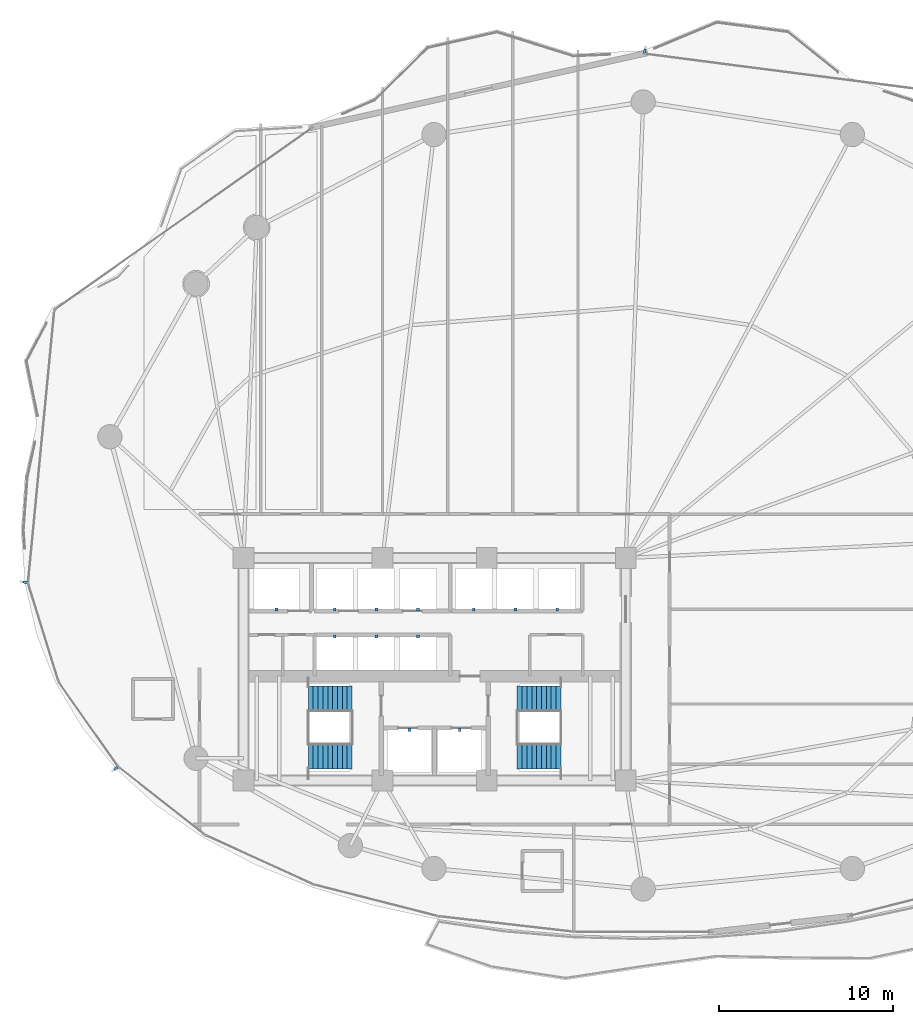
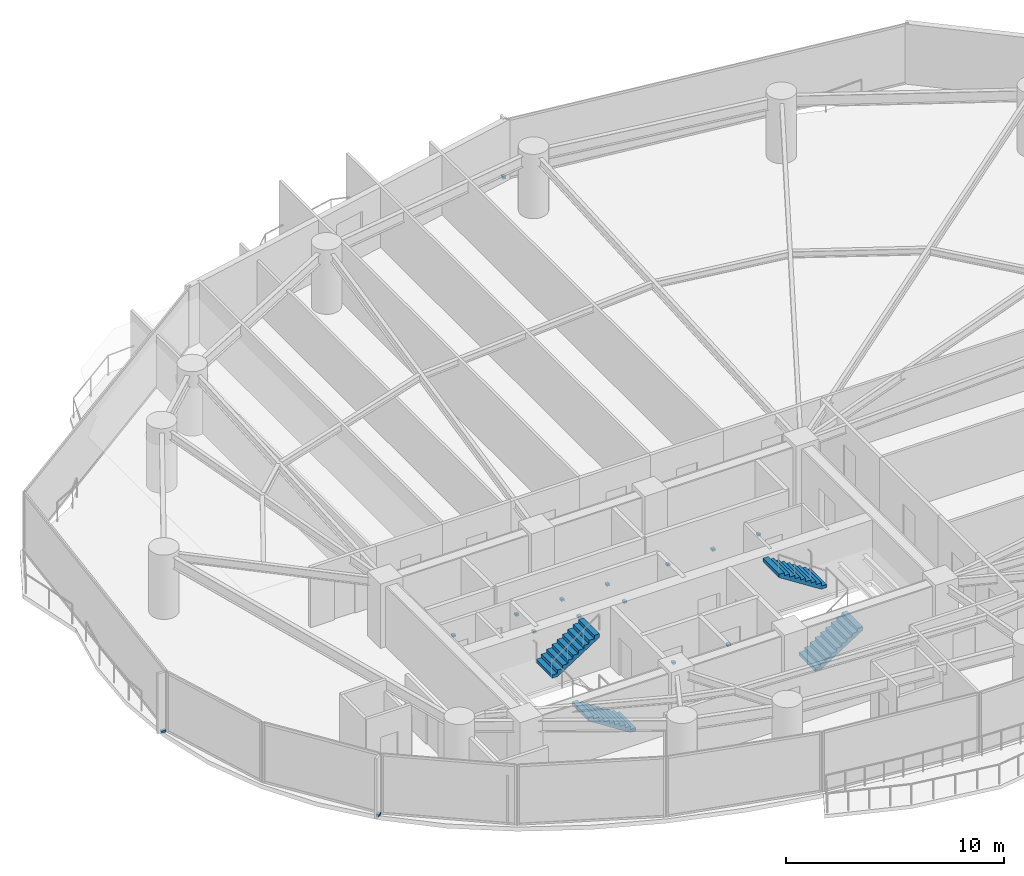
# One storey, part 27 of 31: 15 discrete accessories, 4 stair flights, 2 elements without a shape of their own.
"""IFC4 building model written with IfcOpenShell, lengths in metres."""

from ifc_helpers import new_model, si_unit, direction, frame, origin, origin_2d, place, context, subcontext, project, spatial, polyline, rectangle, outline, extrude, material, layer, layer_set, type_object, element, aggregate, save


model = new_model("IFC4")

# Units and contexts
model_context = context("Model", 3, precision=1e-05, world=origin(), true_north=direction((0.0, 1.0)))
body_context = subcontext(model_context, "Body", "Model", "MODEL_VIEW")
ifc_project = project(units=[si_unit("LENGTHUNIT", "METRE"), si_unit("AREAUNIT", "SQUARE_METRE"), si_unit("VOLUMEUNIT", "CUBIC_METRE"), si_unit("PLANEANGLEUNIT", "RADIAN"), si_unit("MASSUNIT", "GRAM", prefix="KILO")], contexts=[model_context])

# Site, building, storey
site_placement = place(None, origin())
site = spatial("IfcSite", under=ifc_project, at=site_placement, CompositionType="ELEMENT")
building_placement = place(site_placement, origin())
building = spatial("IfcBuilding", under=site, at=building_placement, Name="Kazevale Care Tower and Concert Hall", CompositionType="ELEMENT")
storey_placement = place(building_placement, frame((0.0, 0.0, 60.0)))
storey = spatial("IfcBuildingStorey", under=building, at=storey_placement, Name="L15", CompositionType="ELEMENT", Elevation=60.0)

# Stair, stair flights
ifc_material_1 = material(Name="Concrete C40", Category="concrete")
stair_type = type_object("IfcStairType", Name="Exit Stair Assembly ST1-Z1", PredefinedType="HALF_TURN_STAIR", material=ifc_material_1)
stair_1_placement = place(storey_placement, origin())
stair_1 = element("IfcStair", 1, at=stair_1_placement, inside=storey, type_object=stair_type, Name="stair:L15:ST1", PredefinedType="HALF_TURN_STAIR")
ifc_layer = layer(ifc_material_1, 0.159912109375)
ifc_layer_set = layer_set([ifc_layer], Name="Concrete C40")
stair_flight_type = type_object("IfcStairFlightType", Name="Exit Stair Flight ST1-Z1", PredefinedType="STRAIGHT", material=ifc_layer_set)
stair_flight_1_placement = place(storey_placement, frame((28.25, 24.989990234375, 0.0), z_axis=(0.0, 0.0, 1.0), x_axis=(-1.0, 0.0, 0.0)))
stair_flight_1 = element("IfcStairFlight", 2, at=stair_flight_1_placement, type_object=stair_flight_type, Name="ST1-Z1 flight 1", NumberOfRisers=10, NumberOfTreads=9, PredefinedType="STRAIGHT", RiserHeight=0.18, TreadLength=0.28, context=body_context, shape_type="SweptSolid", body=[
    extrude(outline(polyline([(0.0, 0.0), (0.0, 0.179931640625), (0.280029296875, 0.179931640625), (0.280029296875, 0.360107421875), (0.56005859375, 0.360107421875), (0.56005859375, 0.5400390625), (0.840087890625, 0.5400390625), (0.840087890625, 0.719970703125), (1.1201171875, 0.719970703125), (1.1201171875, 0.89990234375), (1.39990234375, 0.89990234375), (1.39990234375, 1.080078125), (1.679931640625, 1.080078125), (1.679931640625, 1.260009765625), (1.9599609375, 1.260009765625), (1.9599609375, 1.43994140625), (2.239990234375, 1.43994140625), (2.239990234375, 1.6201171875), (2.52001953125, 1.6201171875), (2.52001953125, 1.800048828125), (2.52001953125, 1.429931640625), (0.295654296875, 0.0), (0.0, 0.0)])), frame((0.0, 0.739990234375, 0.0), z_axis=(0.0, -1.0, 0.0), x_axis=(1.0, 0.0, 0.0)), (0.0, 0.0, 1.0), 1.47998046875),
])
stair_flight_2_placement = place(storey_placement, frame((25.72998046875, 28.31005859375, 1.800048828125), z_axis=(0.0, 0.0, 1.0), x_axis=(1.0, 0.0, 0.0)))
stair_flight_2 = element("IfcStairFlight", 3, at=stair_flight_2_placement, type_object=stair_flight_type, Name="ST1-Z1 flight 2", NumberOfRisers=10, NumberOfTreads=9, PredefinedType="STRAIGHT", RiserHeight=0.18, TreadLength=0.28, context=body_context, shape_type="SweptSolid", body=[
    extrude(outline(polyline([(0.0, 0.0), (0.0, 0.179931640625), (0.280029296875, 0.179931640625), (0.280029296875, 0.360107421875), (0.56005859375, 0.360107421875), (0.56005859375, 0.5400390625), (0.840087890625, 0.5400390625), (0.840087890625, 0.719970703125), (1.1201171875, 0.719970703125), (1.1201171875, 0.89990234375), (1.39990234375, 0.89990234375), (1.39990234375, 1.080078125), (1.679931640625, 1.080078125), (1.679931640625, 1.260009765625), (1.9599609375, 1.260009765625), (1.9599609375, 1.43994140625), (2.239990234375, 1.43994140625), (2.239990234375, 1.6201171875), (2.52001953125, 1.6201171875), (2.52001953125, 1.800048828125), (2.52001953125, 1.429931640625), (0.295654296875, 0.0), (0.0, 0.0)])), frame((0.0, 0.739990234375, 0.0), z_axis=(0.0, -1.0, 0.0), x_axis=(1.0, 0.0, 0.0)), (0.0, 0.0, 1.0), 1.47998046875),
])
aggregate(stair_1, [stair_flight_1, stair_flight_2])

stair_2_placement = place(storey_placement, origin())
stair_2 = element("IfcStair", 4, at=stair_2_placement, inside=storey, type_object=stair_type, Name="stair:L15:ST2", PredefinedType="HALF_TURN_STAIR")
stair_flight_3_placement = place(storey_placement, frame((37.75, 24.989990234375, 0.0), z_axis=(0.0, 0.0, 1.0), x_axis=(1.0, 0.0, 0.0)))
stair_flight_3 = element("IfcStairFlight", 5, at=stair_flight_3_placement, type_object=stair_flight_type, Name="ST1-Z1 flight 1", NumberOfRisers=10, NumberOfTreads=9, PredefinedType="STRAIGHT", RiserHeight=0.18, TreadLength=0.28, context=body_context, shape_type="SweptSolid", body=[
    extrude(outline(polyline([(0.0, 0.0), (0.0, 0.179931640625), (0.280029296875, 0.179931640625), (0.280029296875, 0.360107421875), (0.56005859375, 0.360107421875), (0.56005859375, 0.5400390625), (0.840087890625, 0.5400390625), (0.840087890625, 0.719970703125), (1.1201171875, 0.719970703125), (1.1201171875, 0.89990234375), (1.39990234375, 0.89990234375), (1.39990234375, 1.080078125), (1.679931640625, 1.080078125), (1.679931640625, 1.260009765625), (1.9599609375, 1.260009765625), (1.9599609375, 1.43994140625), (2.239990234375, 1.43994140625), (2.239990234375, 1.6201171875), (2.52001953125, 1.6201171875), (2.52001953125, 1.800048828125), (2.52001953125, 1.429931640625), (0.295654296875, 0.0), (0.0, 0.0)])), frame((0.0, 0.739990234375, 0.0), z_axis=(0.0, -1.0, 0.0), x_axis=(1.0, 0.0, 0.0)), (0.0, 0.0, 1.0), 1.47998046875),
])
stair_flight_4_placement = place(storey_placement, frame((40.27001953125, 28.31005859375, 1.800048828125), z_axis=(0.0, 0.0, 1.0), x_axis=(-1.0, 0.0, 0.0)))
stair_flight_4 = element("IfcStairFlight", 6, at=stair_flight_4_placement, type_object=stair_flight_type, Name="ST1-Z1 flight 2", NumberOfRisers=10, NumberOfTreads=9, PredefinedType="STRAIGHT", RiserHeight=0.18, TreadLength=0.28, context=body_context, shape_type="SweptSolid", body=[
    extrude(outline(polyline([(0.0, 0.0), (0.0, 0.179931640625), (0.280029296875, 0.179931640625), (0.280029296875, 0.360107421875), (0.56005859375, 0.360107421875), (0.56005859375, 0.5400390625), (0.840087890625, 0.5400390625), (0.840087890625, 0.719970703125), (1.1201171875, 0.719970703125), (1.1201171875, 0.89990234375), (1.39990234375, 0.89990234375), (1.39990234375, 1.080078125), (1.679931640625, 1.080078125), (1.679931640625, 1.260009765625), (1.9599609375, 1.260009765625), (1.9599609375, 1.43994140625), (2.239990234375, 1.43994140625), (2.239990234375, 1.6201171875), (2.52001953125, 1.6201171875), (2.52001953125, 1.800048828125), (2.52001953125, 1.429931640625), (0.295654296875, 0.0), (0.0, 0.0)])), frame((0.0, 0.739990234375, 0.0), z_axis=(0.0, -1.0, 0.0), x_axis=(1.0, 0.0, 0.0)), (0.0, 0.0, 1.0), 1.47998046875),
])
aggregate(stair_2, [stair_flight_3, stair_flight_4])

# Discrete accessories
ifc_material_2 = material(Name="Stainless Steel 316", Category="steel")
discrete_accessory_type_1 = type_object("IfcDiscreteAccessoryType", Name="Facade Fin Stainless Anchor Bracket BRK-1", PredefinedType="BRACKET", material=ifc_material_2)
for number, where, z_axis, x_axis, name in (
    (7, (14.656005859375, 24.298828125, 0.0), (0.0, 0.0, 1.0), (-0.817547124842, -0.575861700985, 0.0), "cw:L15:f11:brk"),
    (8, (9.438720703125, 35.01416015625, 0.0), (0.0, 0.0, 1.0), (-0.995379454967, 0.09601948047, 0.0), "cw:L15:f13:brk"),
    (9, (45.096923828125, 65.57080078125, 0.0), (0.0, 0.0, 1.0), (0.128103248172, 0.991760837, 0.0), "cw:L15:f16:brk"),
):
    element("IfcDiscreteAccessory", number, at=place(storey_placement, frame(where, z_axis=z_axis, x_axis=x_axis)), inside=storey, type_object=discrete_accessory_type_1, Name=name, PredefinedType="BRACKET", context=body_context, shape_type="SweptSolid", body=[
        extrude(rectangle(XDim=0.239990234375, YDim=0.139892578125, at=origin_2d()), origin(), (0.0, 0.0, 1.0), 0.1201171875),
    ])
discrete_accessory_type_2 = type_object("IfcDiscreteAccessoryType", Name="Hoistway Guide-Rail Wall Bracket HBRK-1", PredefinedType="BRACKET", material=ifc_material_2)
for number, where, z_axis, x_axis, name in (
    (10, (31.550048828125, 26.52001953125, 1.239990234375), (0.0, 0.0, 1.0), (1.0, 0.0, 0.0), "hbrk:FFL-1:L15"),
    (11, (34.449951171875, 26.52001953125, 1.239990234375), (0.0, 0.0, 1.0), (1.0, 0.0, 0.0), "hbrk:FFL-2:L15"),
    (12, (23.89990234375, 33.449951171875, 1.239990234375), (0.0, 0.0, 1.0), (1.0, 0.0, 0.0), "hbrk:SVL-1:L15"),
    (13, (27.25, 33.449951171875, 1.239990234375), (0.0, 0.0, 1.0), (1.0, 0.0, 0.0), "hbrk:PL-1:L15"),
    (14, (29.64990234375, 33.449951171875, 1.239990234375), (0.0, 0.0, 1.0), (1.0, 0.0, 0.0), "hbrk:PL-2:L15"),
    (15, (32.050048828125, 33.449951171875, 1.239990234375), (0.0, 0.0, 1.0), (1.0, 0.0, 0.0), "hbrk:PL-3:L15"),
    (16, (35.25, 33.449951171875, 1.239990234375), (0.0, 0.0, 1.0), (1.0, 0.0, 0.0), "hbrk:PM-1:L15"),
    (17, (37.64990234375, 33.449951171875, 1.239990234375), (0.0, 0.0, 1.0), (1.0, 0.0, 0.0), "hbrk:PM-2:L15"),
    (18, (40.050048828125, 33.449951171875, 1.239990234375), (0.0, 0.0, 1.0), (1.0, 0.0, 0.0), "hbrk:PM-3:L15"),
    (19, (27.25, 31.8798828125, 1.239990234375), (0.0, 0.0, 1.0), (1.0, 0.0, 0.0), "hbrk:PH-1:L15"),
    (20, (29.64990234375, 31.8798828125, 1.239990234375), (0.0, 0.0, 1.0), (1.0, 0.0, 0.0), "hbrk:PH-2:L15"),
    (21, (32.050048828125, 31.8798828125, 1.239990234375), (0.0, 0.0, 1.0), (1.0, 0.0, 0.0), "hbrk:PH-3:L15"),
):
    element("IfcDiscreteAccessory", number, at=place(storey_placement, frame(where, z_axis=z_axis, x_axis=x_axis)), inside=storey, type_object=discrete_accessory_type_2, Name=name, PredefinedType="BRACKET", context=body_context, shape_type="SweptSolid", body=[
        extrude(rectangle(XDim=0.159912109375, YDim=0.179931640625, at=origin_2d()), origin(), (0.0, 0.0, 1.0), 0.1201171875),
    ])

save(model, "model.ifc")
